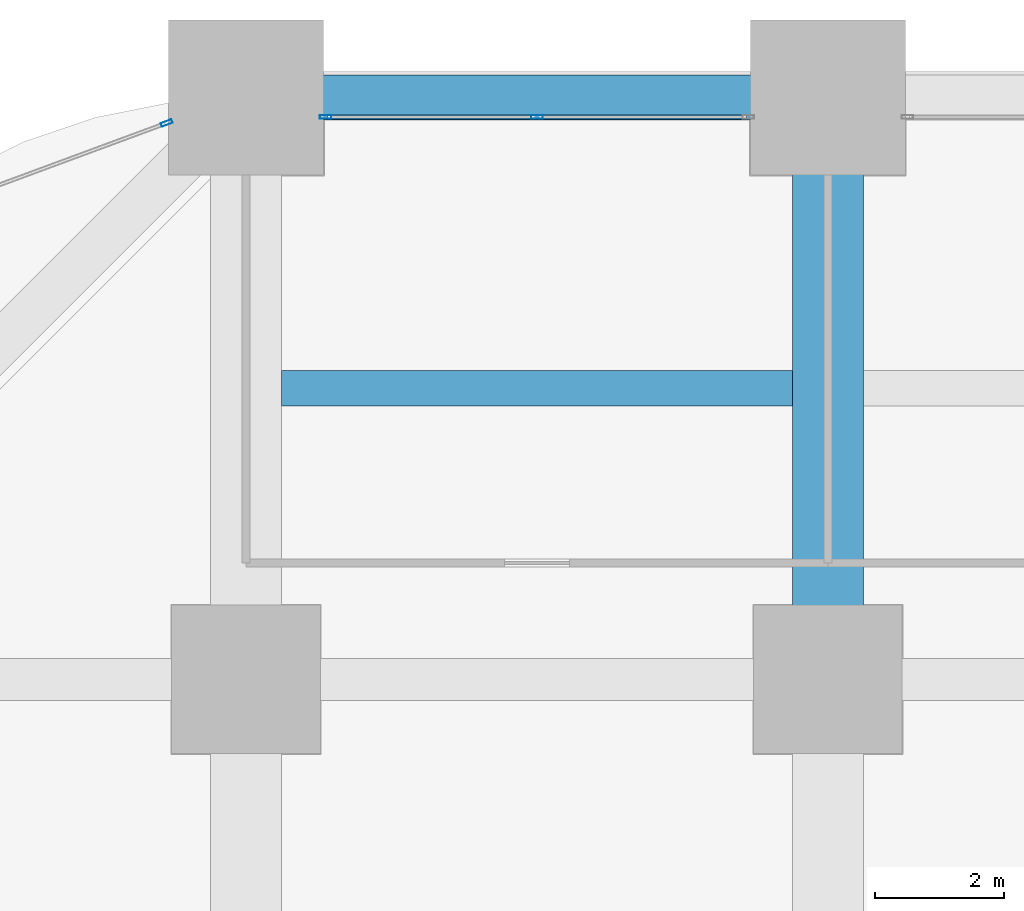
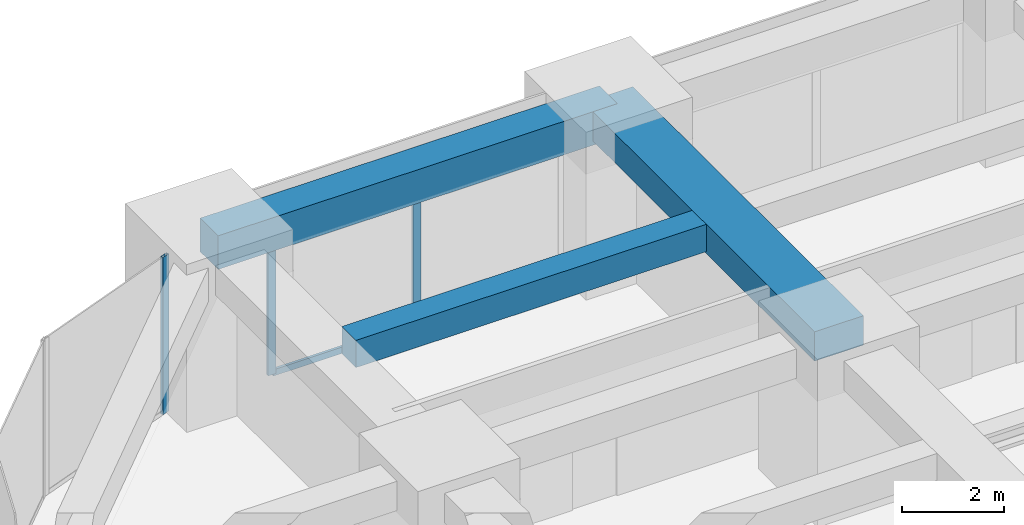
# One storey, part 28 of 45: 4 members, 3 beams, 2 elements without a shape of their own.
"""IFC4 building model written with IfcOpenShell, lengths in metres."""

from ifc_helpers import new_model, si_unit, direction, frame, origin, origin_2d, place, context, subcontext, project, spatial, rectangle, hollow_rectangle, extrude, material, material_profile, profile_set, type_object, element, aggregate, save


model = new_model("IFC4")

# Units and contexts
model_context = context("Model", 3, precision=1e-05, world=origin(), true_north=direction((0.0, 1.0)))
body_context = subcontext(model_context, "Body", "Model", "MODEL_VIEW")
ifc_project = project(units=[si_unit("LENGTHUNIT", "METRE"), si_unit("AREAUNIT", "SQUARE_METRE"), si_unit("VOLUMEUNIT", "CUBIC_METRE"), si_unit("PLANEANGLEUNIT", "RADIAN"), si_unit("MASSUNIT", "GRAM", prefix="KILO")], contexts=[model_context])

# Site, building, storey
site_placement = place(None, origin())
site = spatial("IfcSite", under=ifc_project, at=site_placement, CompositionType="ELEMENT")
building_placement = place(site_placement, origin())
building = spatial("IfcBuilding", under=site, at=building_placement, Name="Zorevar Civic Tower", CompositionType="ELEMENT")
storey_placement = place(building_placement, frame((0.0, 0.0, 27.800048828125)))
storey = spatial("IfcBuildingStorey", under=building, at=storey_placement, Name="L06", CompositionType="ELEMENT", Elevation=27.800048828125)

# Beams
ifc_material_1 = material(Name="Concrete C50/60", Category="concrete")
ifc_material_profile_1 = material_profile(ifc_material_1, rectangle(XDim=1.10009765625, YDim=0.699951171875, at=origin_2d()), Name="RC 1100x700")
ifc_profile_set_1 = profile_set([ifc_material_profile_1], Name="Concrete C50/60")
beam_type_1 = type_object("IfcBeamType", Name="Beam RC 1100x700", PredefinedType="BEAM", material=ifc_profile_set_1)
beam_1_placement = place(storey_placement, frame((18.0, 45.0, 3.39990234375), z_axis=(0.0, 1.0, 0.0), x_axis=(-1.0, 0.0, 0.0)))
element("IfcBeam", 1, at=beam_1_placement, inside=storey, type_object=beam_type_1, Name="Girder L07", PredefinedType="BEAM", context=body_context, shape_type="SweptSolid", body=[
    extrude(rectangle(XDim=1.10009765625, YDim=0.699951171875, at=origin_2d()), origin(), (0.0, 0.0, 1.0), 9.0),
])
ifc_material_2 = material(Name="Concrete C50/60", Category="concrete")
ifc_material_profile_2 = material_profile(ifc_material_2, rectangle(XDim=0.550048828125, YDim=0.64990234375, at=origin_2d()), Name="RC 550x650")
ifc_profile_set_2 = profile_set([ifc_material_profile_2], Name="Concrete C50/60")
beam_type_2 = type_object("IfcBeamType", Name="Beam RC 550x650", PredefinedType="BEAM", material=ifc_profile_set_2)
beam_2_placement = place(storey_placement, frame((9.550048828125, 49.5, 3.425048828125), z_axis=(1.0, 0.0, 0.0), x_axis=(0.0, 1.0, 0.0)))
element("IfcBeam", 2, at=beam_2_placement, inside=storey, type_object=beam_type_2, Name="Secondary beam L07", PredefinedType="BEAM", context=body_context, shape_type="SweptSolid", body=[
    extrude(rectangle(XDim=0.550048828125, YDim=0.64990234375, at=origin_2d()), origin(), (0.0, 0.0, 1.0), 7.89990234375),
])

# Curtain wall, members
ifc_material_3 = material(Name="Dark grey solar-control glass in black aluminium frame", Category="aluminium")
curtain_wall_type = type_object("IfcCurtainWallType", Name="Curtain wall CW2 low zone", PredefinedType="NOTDEFINED", material=ifc_material_3)
curtain_wall_1_placement = place(storey_placement, origin())
curtain_wall_1 = element("IfcCurtainWall", 3, at=curtain_wall_1_placement, inside=storey, type_object=curtain_wall_type, Name="CW2 L06", PredefinedType="NOTDEFINED")
ifc_material_4 = material(Name="Aluminium, black anodised", Category="aluminium")
ifc_material_profile_3 = material_profile(ifc_material_4, hollow_rectangle(XDim=0.06005859375, YDim=0.179931640625, WallThickness=0.00390625, at=origin_2d()), Name="AL 180x60x4")
ifc_profile_set_3 = profile_set([ifc_material_profile_3], Name="Aluminium, black anodised")
member_type_1 = type_object("IfcMemberType", Name="CW2 mullion AL 180x60x4", PredefinedType="MULLION", material=ifc_profile_set_3)
member_1_placement = place(storey_placement, frame((10.22998046875, 53.699951171875, 0.0), z_axis=(0.0, 0.0, 1.0), x_axis=(0.0, 1.0, 0.0)))
member_1 = element("IfcMember", 4, at=member_1_placement, type_object=member_type_1, Name="CW2 mullion 1", PredefinedType="MULLION", context=body_context, shape_type="SweptSolid", body=[
    extrude(hollow_rectangle(XDim=0.06005859375, YDim=0.179931640625, WallThickness=0.00390625, at=origin_2d()), origin(), (0.0, 0.0, 1.0), 2.949951171875),
])
member_2_placement = place(storey_placement, frame((13.5, 53.699951171875, 0.06005859375), z_axis=(0.0, 0.0, 1.0), x_axis=(0.0, 1.0, 0.0)))
member_2 = element("IfcMember", 5, at=member_2_placement, type_object=member_type_1, Name="CW2 mullion 2", PredefinedType="MULLION", context=body_context, shape_type="SweptSolid", body=[
    extrude(hollow_rectangle(XDim=0.06005859375, YDim=0.179931640625, WallThickness=0.00390625, at=origin_2d()), origin(), (0.0, 0.0, 1.0), 2.889892578125),
])

# Curtain wall, member
curtain_wall_2_placement = place(storey_placement, origin())
curtain_wall_2 = element("IfcCurtainWall", 6, at=curtain_wall_2_placement, inside=storey, type_object=curtain_wall_type, Name="CW2 L06", PredefinedType="NOTDEFINED")
member_3_placement = place(storey_placement, frame((7.77197265625, 53.6064453125, 0.0), z_axis=(0.0, 0.0, 1.0), x_axis=(0.346704012033, -0.937974588163, 0.0)))
member_3 = element("IfcMember", 7, at=member_3_placement, type_object=member_type_1, Name="CW2 mullion 1", PredefinedType="MULLION", context=body_context, shape_type="SweptSolid", body=[
    extrude(hollow_rectangle(XDim=0.06005859375, YDim=0.179931640625, WallThickness=0.00390625, at=origin_2d()), origin(), (0.0, 0.0, 1.0), 3.75),
])
aggregate(curtain_wall_2, [member_3])

# Member
ifc_material_5 = material(Name="Aluminium, black anodised", Category="aluminium")
ifc_material_profile_4 = material_profile(ifc_material_5, hollow_rectangle(XDim=0.06005859375, YDim=0.14990234375, WallThickness=0.00390625, at=origin_2d()), Name="AL 150x60x4")
ifc_profile_set_4 = profile_set([ifc_material_profile_4], Name="Aluminium, black anodised")
member_type_2 = type_object("IfcMemberType", Name="CW2 transom AL 150x60x4", PredefinedType="USERDEFINED", material=ifc_profile_set_4)
member_4_placement = place(storey_placement, frame((10.260009765625, 53.699951171875, 0.030029296875), z_axis=(1.0, 0.0, 0.0), x_axis=(0.0, 1.0, 0.0)))
member_4 = element("IfcMember", 8, at=member_4_placement, type_object=member_type_2, Name="CW2 sill transom", ObjectType="TRANSOM", PredefinedType="USERDEFINED", context=body_context, shape_type="SweptSolid", body=[
    extrude(hollow_rectangle(XDim=0.06005859375, YDim=0.14990234375, WallThickness=0.00390625, at=origin_2d()), origin(), (0.0, 0.0, 1.0), 6.47998046875),
])

aggregate(curtain_wall_1, [member_1, member_2, member_4])

# Beam
ifc_material_6 = material(Name="Concrete C50/60", Category="concrete")
ifc_material_profile_5 = material_profile(ifc_material_6, rectangle(XDim=0.699951171875, YDim=0.800048828125, at=origin_2d()), Name="RC 700x800")
ifc_profile_set_5 = profile_set([ifc_material_profile_5], Name="Concrete C50/60")
beam_type_3 = type_object("IfcBeamType", Name="Edge beam RC 700x800", PredefinedType="SPANDREL", material=ifc_profile_set_5)
beam_3_placement = place(storey_placement, frame((9.0, 54.0, 3.349853515625), z_axis=(1.0, 0.0, 0.0), x_axis=(0.0, 1.0, 0.0)))
element("IfcBeam", 9, at=beam_3_placement, inside=storey, type_object=beam_type_3, Name="Edge beam L07", PredefinedType="SPANDREL", context=body_context, shape_type="SweptSolid", body=[
    extrude(rectangle(XDim=0.699951171875, YDim=0.800048828125, at=origin_2d()), origin(), (0.0, 0.0, 1.0), 9.0),
])

save(model, "model.ifc")
